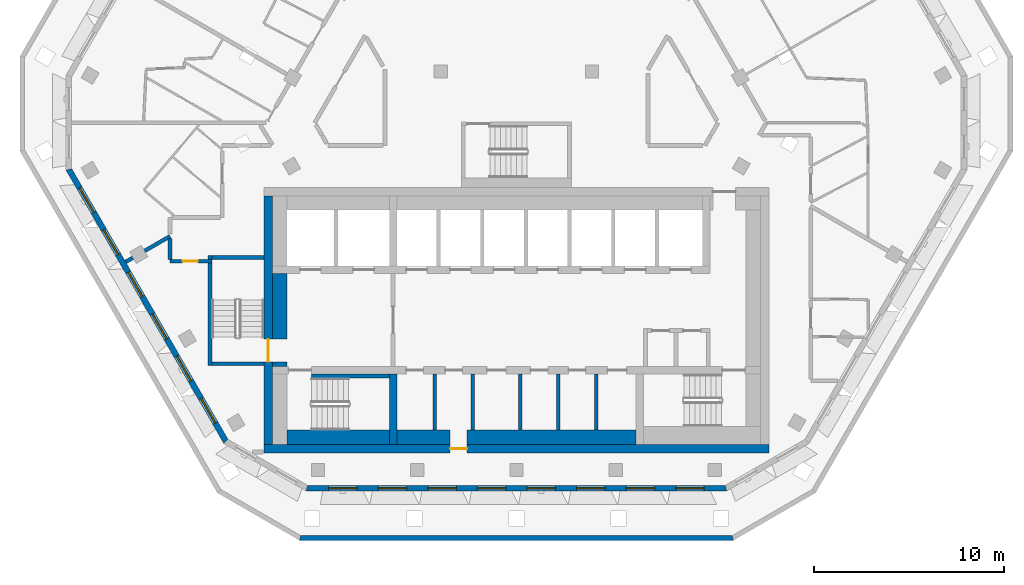
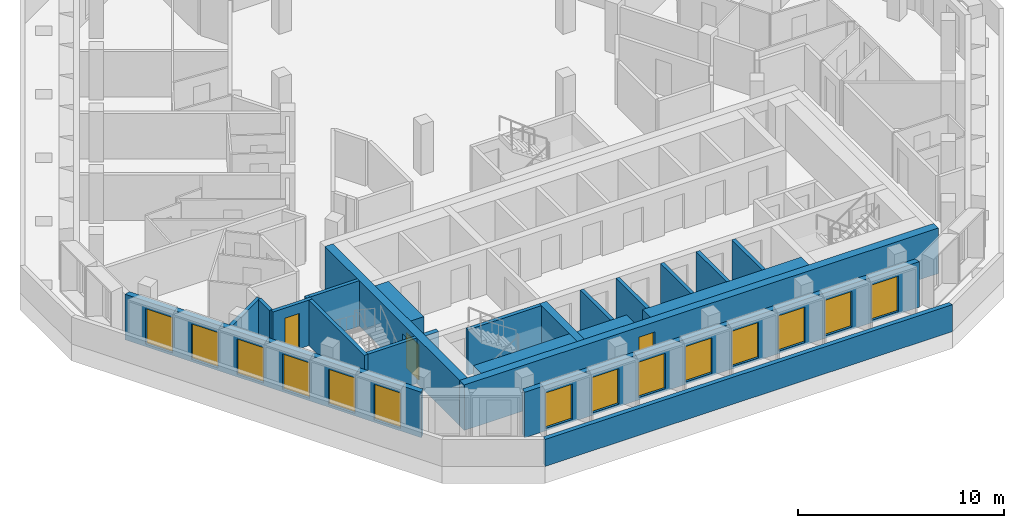
# One storey, part 2 of 15: 23 walls, 14 windows, 3 doors, 17 openings.
"""IFC4 building model written with IfcOpenShell, lengths in metres."""

from ifc_helpers import new_model, si_unit, direction, frame, frame_2d, origin, place, context, subcontext, project, spatial, polyline, rectangle, outline, extrude, material, layer, layer_set, type_object, element, fill, save


model = new_model("IFC4")

# Units and contexts
model_context = context("Model", 3, precision=1e-05, world=origin(), true_north=direction((0.0, 1.0)))
body_context = subcontext(model_context, "Body", "Model", "MODEL_VIEW")
ifc_project = project(units=[si_unit("LENGTHUNIT", "METRE"), si_unit("AREAUNIT", "SQUARE_METRE"), si_unit("VOLUMEUNIT", "CUBIC_METRE"), si_unit("PLANEANGLEUNIT", "RADIAN"), si_unit("MASSUNIT", "GRAM", prefix="KILO")], contexts=[model_context])

# Site, building, storey
site_placement = place(None, origin())
site = spatial("IfcSite", under=ifc_project, at=site_placement, CompositionType="ELEMENT")
building_placement = place(site_placement, origin())
building = spatial("IfcBuilding", under=site, at=building_placement, Name="Beryl Residences", CompositionType="ELEMENT")
storey_placement = place(building_placement, frame((0.0, 0.0, 202.800048828125)))
storey = spatial("IfcBuildingStorey", under=building, at=storey_placement, Name="L62", CompositionType="ELEMENT", Elevation=202.800048828125)

# Wall, openings, windows
ifc_material_1 = material(Name="Composite metal panel with mineral wool insulation")
ifc_layer_1 = layer(ifc_material_1, 0.300048828125)
ifc_layer_set_1 = layer_set([ifc_layer_1], Name="ES1 pale metal composite panel wall 300 mm")
wall_type_1 = type_object("IfcWallType", Name="ES1 pale metal composite panel wall 300 mm", PredefinedType="SOLIDWALL", material=ifc_layer_set_1)
wall_1_placement = place(storey_placement, frame((-23.59912109375, -4.02490234375, 0.0), z_axis=(0.0, 0.0, 1.0), x_axis=(0.500012653391, -0.866018098222, 0.0)))
wall_1 = element("IfcWall", 1, at=wall_1_placement, inside=storey, type_object=wall_type_1, Name="ES1 external wall L62 SW", PredefinedType="SOLIDWALL", context=body_context, shape_type="SweptSolid", body=[
    extrude(outline(polyline([(0.0, -0.14990234375), (16.6279296875, -0.14990234375), (16.547607421875, 0.14990234375), (0.080322265625, 0.14990234375), (0.0, -0.14990234375)])), origin(), (0.0, 0.0, 1.0), 2.699951171875),
])
opening_1_placement = place(wall_1_placement, frame((1.1640625, 0.0, 0.14990234375)))
opening_1 = element("IfcOpeningElement", 2, at=opening_1_placement, cuts=wall_1, Name="Opening W1", PredefinedType="OPENING", context=body_context, shape_type="SweptSolid", body=[
    extrude(rectangle(XDim=1.5, YDim=2.10009765625, at=frame_2d((0.75, 1.050048828125))), frame((0.0, 0.159912109375, 0.0), z_axis=(0.0, -1.0, 0.0), x_axis=(1.0, 0.0, 0.0)), (0.0, 0.0, 1.0), 0.320068359375),
])
opening_2_placement = place(wall_1_placement, frame((3.72412109375, 0.0, 0.14990234375)))
opening_2 = element("IfcOpeningElement", 3, at=opening_2_placement, cuts=wall_1, Name="Opening W1", PredefinedType="OPENING", context=body_context, shape_type="SweptSolid", body=[
    extrude(rectangle(XDim=1.5, YDim=2.10009765625, at=frame_2d((0.75, 1.050048828125))), frame((0.0, 0.159912109375, 0.0), z_axis=(0.0, -1.0, 0.0), x_axis=(1.0, 0.0, 0.0)), (0.0, 0.0, 1.0), 0.320068359375),
])
opening_3_placement = place(wall_1_placement, frame((6.282958984375, 0.0, 0.14990234375)))
opening_3 = element("IfcOpeningElement", 4, at=opening_3_placement, cuts=wall_1, Name="Opening W1", PredefinedType="OPENING", context=body_context, shape_type="SweptSolid", body=[
    extrude(rectangle(XDim=1.5, YDim=2.10009765625, at=frame_2d((0.75, 1.050048828125))), frame((0.0, 0.159912109375, 0.0), z_axis=(0.0, -1.0, 0.0), x_axis=(1.0, 0.0, 0.0)), (0.0, 0.0, 1.0), 0.320068359375),
])
opening_4_placement = place(wall_1_placement, frame((8.843017578125, 0.0, 0.14990234375)))
opening_4 = element("IfcOpeningElement", 5, at=opening_4_placement, cuts=wall_1, Name="Opening W1", PredefinedType="OPENING", context=body_context, shape_type="SweptSolid", body=[
    extrude(rectangle(XDim=1.5, YDim=2.10009765625, at=frame_2d((0.75, 1.050048828125))), frame((0.0, 0.159912109375, 0.0), z_axis=(0.0, -1.0, 0.0), x_axis=(1.0, 0.0, 0.0)), (0.0, 0.0, 1.0), 0.320068359375),
])
opening_5_placement = place(wall_1_placement, frame((11.403076171875, 0.0, 0.14990234375)))
opening_5 = element("IfcOpeningElement", 6, at=opening_5_placement, cuts=wall_1, Name="Opening W1", PredefinedType="OPENING", context=body_context, shape_type="SweptSolid", body=[
    extrude(rectangle(XDim=1.5, YDim=2.10009765625, at=frame_2d((0.75, 1.050048828125))), frame((0.0, 0.159912109375, 0.0), z_axis=(0.0, -1.0, 0.0), x_axis=(1.0, 0.0, 0.0)), (0.0, 0.0, 1.0), 0.320068359375),
])
opening_6_placement = place(wall_1_placement, frame((13.9619140625, 0.0, 0.14990234375)))
opening_6 = element("IfcOpeningElement", 7, at=opening_6_placement, cuts=wall_1, Name="Opening W1", PredefinedType="OPENING", context=body_context, shape_type="SweptSolid", body=[
    extrude(rectangle(XDim=1.5, YDim=2.10009765625, at=frame_2d((0.75, 1.050048828125))), frame((0.0, 0.159912109375, 0.0), z_axis=(0.0, -1.0, 0.0), x_axis=(1.0, 0.0, 0.0)), (0.0, 0.0, 1.0), 0.320068359375),
])
ifc_material_2 = material(Name="Aluminium and clear glass", Category="aluminium")
window_type = type_object("IfcWindowType", Name="W1 cell window 1500 x 2100 mm", PartitioningType="SINGLE_PANEL", PredefinedType="WINDOW", material=ifc_material_2)
window_1_placement = place(opening_1_placement, origin())
window_1 = element("IfcWindow", 8, at=window_1_placement, inside=storey, type_object=window_type, Name="W1 window L62 SW 1", OverallHeight=2.10009765625, OverallWidth=1.5, PartitioningType="SINGLE_PANEL", PredefinedType="WINDOW", context=body_context, shape_type="SweptSolid", body=[
    extrude(rectangle(XDim=1.5, YDim=2.10009765625, at=frame_2d((0.75, 1.050048828125))), frame((0.0, 0.030029296875, 0.0), z_axis=(0.0, -1.0, 0.0), x_axis=(1.0, 0.0, 0.0)), (0.0, 0.0, 1.0), 0.06005859375),
])
fill(opening_1, window_1)
window_2_placement = place(opening_2_placement, origin())
window_2 = element("IfcWindow", 9, at=window_2_placement, inside=storey, type_object=window_type, Name="W1 window L62 SW 2", OverallHeight=2.10009765625, OverallWidth=1.5, PartitioningType="SINGLE_PANEL", PredefinedType="WINDOW", context=body_context, shape_type="SweptSolid", body=[
    extrude(rectangle(XDim=1.5, YDim=2.10009765625, at=frame_2d((0.75, 1.050048828125))), frame((0.0, 0.030029296875, 0.0), z_axis=(0.0, -1.0, 0.0), x_axis=(1.0, 0.0, 0.0)), (0.0, 0.0, 1.0), 0.06005859375),
])
fill(opening_2, window_2)
window_3_placement = place(opening_3_placement, origin())
window_3 = element("IfcWindow", 10, at=window_3_placement, inside=storey, type_object=window_type, Name="W1 window L62 SW 3", OverallHeight=2.10009765625, OverallWidth=1.5, PartitioningType="SINGLE_PANEL", PredefinedType="WINDOW", context=body_context, shape_type="SweptSolid", body=[
    extrude(rectangle(XDim=1.5, YDim=2.10009765625, at=frame_2d((0.75, 1.050048828125))), frame((0.0, 0.030029296875, 0.0), z_axis=(0.0, -1.0, 0.0), x_axis=(1.0, 0.0, 0.0)), (0.0, 0.0, 1.0), 0.06005859375),
])
fill(opening_3, window_3)
window_4_placement = place(opening_4_placement, origin())
window_4 = element("IfcWindow", 11, at=window_4_placement, inside=storey, type_object=window_type, Name="W1 window L62 SW 4", OverallHeight=2.10009765625, OverallWidth=1.5, PartitioningType="SINGLE_PANEL", PredefinedType="WINDOW", context=body_context, shape_type="SweptSolid", body=[
    extrude(rectangle(XDim=1.5, YDim=2.10009765625, at=frame_2d((0.75, 1.050048828125))), frame((0.0, 0.030029296875, 0.0), z_axis=(0.0, -1.0, 0.0), x_axis=(1.0, 0.0, 0.0)), (0.0, 0.0, 1.0), 0.06005859375),
])
fill(opening_4, window_4)
window_5_placement = place(opening_5_placement, origin())
window_5 = element("IfcWindow", 12, at=window_5_placement, inside=storey, type_object=window_type, Name="W1 window L62 SW 5", OverallHeight=2.10009765625, OverallWidth=1.5, PartitioningType="SINGLE_PANEL", PredefinedType="WINDOW", context=body_context, shape_type="SweptSolid", body=[
    extrude(rectangle(XDim=1.5, YDim=2.10009765625, at=frame_2d((0.75, 1.050048828125))), frame((0.0, 0.030029296875, 0.0), z_axis=(0.0, -1.0, 0.0), x_axis=(1.0, 0.0, 0.0)), (0.0, 0.0, 1.0), 0.06005859375),
])
fill(opening_5, window_5)
window_6_placement = place(opening_6_placement, origin())
window_6 = element("IfcWindow", 13, at=window_6_placement, inside=storey, type_object=window_type, Name="W1 window L62 SW 6", OverallHeight=2.10009765625, OverallWidth=1.5, PartitioningType="SINGLE_PANEL", PredefinedType="WINDOW", context=body_context, shape_type="SweptSolid", body=[
    extrude(rectangle(XDim=1.5, YDim=2.10009765625, at=frame_2d((0.75, 1.050048828125))), frame((0.0, 0.030029296875, 0.0), z_axis=(0.0, -1.0, 0.0), x_axis=(1.0, 0.0, 0.0)), (0.0, 0.0, 1.0), 0.06005859375),
])
fill(opening_6, window_6)

wall_2_placement = place(storey_placement, frame((-11.0849609375, -20.85009765625, 0.0), z_axis=(0.0, 0.0, 1.0), x_axis=(1.0, 0.0, 0.0)))
wall_2 = element("IfcWall", 14, at=wall_2_placement, inside=storey, type_object=wall_type_1, Name="ES1 external wall L62 S", PredefinedType="SOLIDWALL", context=body_context, shape_type="SweptSolid", body=[
    extrude(outline(polyline([(0.0, -0.14990234375), (22.169921875, -0.14990234375), (22.089599609375, 0.14990234375), (0.080322265625, 0.14990234375), (0.0, -0.14990234375)])), origin(), (0.0, 0.0, 1.0), 2.699951171875),
])
opening_7_placement = place(wall_2_placement, frame((1.19091796875, 0.0, 0.14990234375)))
opening_7 = element("IfcOpeningElement", 15, at=opening_7_placement, cuts=wall_2, Name="Opening W1", PredefinedType="OPENING", context=body_context, shape_type="SweptSolid", body=[
    extrude(rectangle(XDim=1.5, YDim=2.10009765625, at=frame_2d((0.75, 1.050048828125))), frame((0.0, 0.159912109375, 0.0), z_axis=(0.0, -1.0, 0.0), x_axis=(1.0, 0.0, 0.0)), (0.0, 0.0, 1.0), 0.320068359375),
])
opening_8_placement = place(wall_2_placement, frame((3.803955078125, 0.0, 0.14990234375)))
opening_8 = element("IfcOpeningElement", 16, at=opening_8_placement, cuts=wall_2, Name="Opening W1", PredefinedType="OPENING", context=body_context, shape_type="SweptSolid", body=[
    extrude(rectangle(XDim=1.5, YDim=2.10009765625, at=frame_2d((0.75, 1.050048828125))), frame((0.0, 0.159912109375, 0.0), z_axis=(0.0, -1.0, 0.0), x_axis=(1.0, 0.0, 0.0)), (0.0, 0.0, 1.0), 0.320068359375),
])
opening_9_placement = place(wall_2_placement, frame((6.416015625, 0.0, 0.14990234375)))
opening_9 = element("IfcOpeningElement", 17, at=opening_9_placement, cuts=wall_2, Name="Opening W1", PredefinedType="OPENING", context=body_context, shape_type="SweptSolid", body=[
    extrude(rectangle(XDim=1.5, YDim=2.10009765625, at=frame_2d((0.75, 1.050048828125))), frame((0.0, 0.159912109375, 0.0), z_axis=(0.0, -1.0, 0.0), x_axis=(1.0, 0.0, 0.0)), (0.0, 0.0, 1.0), 0.320068359375),
])
opening_10_placement = place(wall_2_placement, frame((9.029052734375, 0.0, 0.14990234375)))
opening_10 = element("IfcOpeningElement", 18, at=opening_10_placement, cuts=wall_2, Name="Opening W1", PredefinedType="OPENING", context=body_context, shape_type="SweptSolid", body=[
    extrude(rectangle(XDim=1.5, YDim=2.10009765625, at=frame_2d((0.75, 1.050048828125))), frame((0.0, 0.159912109375, 0.0), z_axis=(0.0, -1.0, 0.0), x_axis=(1.0, 0.0, 0.0)), (0.0, 0.0, 1.0), 0.320068359375),
])
opening_11_placement = place(wall_2_placement, frame((11.64111328125, 0.0, 0.14990234375)))
opening_11 = element("IfcOpeningElement", 19, at=opening_11_placement, cuts=wall_2, Name="Opening W1", PredefinedType="OPENING", context=body_context, shape_type="SweptSolid", body=[
    extrude(rectangle(XDim=1.5, YDim=2.10009765625, at=frame_2d((0.75, 1.050048828125))), frame((0.0, 0.159912109375, 0.0), z_axis=(0.0, -1.0, 0.0), x_axis=(1.0, 0.0, 0.0)), (0.0, 0.0, 1.0), 0.320068359375),
])
opening_12_placement = place(wall_2_placement, frame((14.25390625, 0.0, 0.14990234375)))
opening_12 = element("IfcOpeningElement", 20, at=opening_12_placement, cuts=wall_2, Name="Opening W1", PredefinedType="OPENING", context=body_context, shape_type="SweptSolid", body=[
    extrude(rectangle(XDim=1.5, YDim=2.10009765625, at=frame_2d((0.75, 1.050048828125))), frame((0.0, 0.159912109375, 0.0), z_axis=(0.0, -1.0, 0.0), x_axis=(1.0, 0.0, 0.0)), (0.0, 0.0, 1.0), 0.320068359375),
])
opening_13_placement = place(wall_2_placement, frame((16.865966796875, 0.0, 0.14990234375)))
opening_13 = element("IfcOpeningElement", 21, at=opening_13_placement, cuts=wall_2, Name="Opening W1", PredefinedType="OPENING", context=body_context, shape_type="SweptSolid", body=[
    extrude(rectangle(XDim=1.5, YDim=2.10009765625, at=frame_2d((0.75, 1.050048828125))), frame((0.0, 0.159912109375, 0.0), z_axis=(0.0, -1.0, 0.0), x_axis=(1.0, 0.0, 0.0)), (0.0, 0.0, 1.0), 0.320068359375),
])
opening_14_placement = place(wall_2_placement, frame((19.47900390625, 0.0, 0.14990234375)))
opening_14 = element("IfcOpeningElement", 22, at=opening_14_placement, cuts=wall_2, Name="Opening W1", PredefinedType="OPENING", context=body_context, shape_type="SweptSolid", body=[
    extrude(rectangle(XDim=1.5, YDim=2.10009765625, at=frame_2d((0.75, 1.050048828125))), frame((0.0, 0.159912109375, 0.0), z_axis=(0.0, -1.0, 0.0), x_axis=(1.0, 0.0, 0.0)), (0.0, 0.0, 1.0), 0.320068359375),
])
window_7_placement = place(opening_7_placement, origin())
window_7 = element("IfcWindow", 23, at=window_7_placement, inside=storey, type_object=window_type, Name="W1 window L62 S 1", OverallHeight=2.10009765625, OverallWidth=1.5, PartitioningType="SINGLE_PANEL", PredefinedType="WINDOW", context=body_context, shape_type="SweptSolid", body=[
    extrude(rectangle(XDim=1.5, YDim=2.10009765625, at=frame_2d((0.75, 1.050048828125))), frame((0.0, 0.030029296875, 0.0), z_axis=(0.0, -1.0, 0.0), x_axis=(1.0, 0.0, 0.0)), (0.0, 0.0, 1.0), 0.06005859375),
])
fill(opening_7, window_7)
window_8_placement = place(opening_8_placement, origin())
window_8 = element("IfcWindow", 24, at=window_8_placement, inside=storey, type_object=window_type, Name="W1 window L62 S 2", OverallHeight=2.10009765625, OverallWidth=1.5, PartitioningType="SINGLE_PANEL", PredefinedType="WINDOW", context=body_context, shape_type="SweptSolid", body=[
    extrude(rectangle(XDim=1.5, YDim=2.10009765625, at=frame_2d((0.75, 1.050048828125))), frame((0.0, 0.030029296875, 0.0), z_axis=(0.0, -1.0, 0.0), x_axis=(1.0, 0.0, 0.0)), (0.0, 0.0, 1.0), 0.06005859375),
])
fill(opening_8, window_8)
window_9_placement = place(opening_9_placement, origin())
window_9 = element("IfcWindow", 25, at=window_9_placement, inside=storey, type_object=window_type, Name="W1 window L62 S 3", OverallHeight=2.10009765625, OverallWidth=1.5, PartitioningType="SINGLE_PANEL", PredefinedType="WINDOW", context=body_context, shape_type="SweptSolid", body=[
    extrude(rectangle(XDim=1.5, YDim=2.10009765625, at=frame_2d((0.75, 1.050048828125))), frame((0.0, 0.030029296875, 0.0), z_axis=(0.0, -1.0, 0.0), x_axis=(1.0, 0.0, 0.0)), (0.0, 0.0, 1.0), 0.06005859375),
])
fill(opening_9, window_9)
window_10_placement = place(opening_10_placement, origin())
window_10 = element("IfcWindow", 26, at=window_10_placement, inside=storey, type_object=window_type, Name="W1 window L62 S 4", OverallHeight=2.10009765625, OverallWidth=1.5, PartitioningType="SINGLE_PANEL", PredefinedType="WINDOW", context=body_context, shape_type="SweptSolid", body=[
    extrude(rectangle(XDim=1.5, YDim=2.10009765625, at=frame_2d((0.75, 1.050048828125))), frame((0.0, 0.030029296875, 0.0), z_axis=(0.0, -1.0, 0.0), x_axis=(1.0, 0.0, 0.0)), (0.0, 0.0, 1.0), 0.06005859375),
])
fill(opening_10, window_10)
window_11_placement = place(opening_11_placement, origin())
window_11 = element("IfcWindow", 27, at=window_11_placement, inside=storey, type_object=window_type, Name="W1 window L62 S 5", OverallHeight=2.10009765625, OverallWidth=1.5, PartitioningType="SINGLE_PANEL", PredefinedType="WINDOW", context=body_context, shape_type="SweptSolid", body=[
    extrude(rectangle(XDim=1.5, YDim=2.10009765625, at=frame_2d((0.75, 1.050048828125))), frame((0.0, 0.030029296875, 0.0), z_axis=(0.0, -1.0, 0.0), x_axis=(1.0, 0.0, 0.0)), (0.0, 0.0, 1.0), 0.06005859375),
])
fill(opening_11, window_11)
window_12_placement = place(opening_12_placement, origin())
window_12 = element("IfcWindow", 28, at=window_12_placement, inside=storey, type_object=window_type, Name="W1 window L62 S 6", OverallHeight=2.10009765625, OverallWidth=1.5, PartitioningType="SINGLE_PANEL", PredefinedType="WINDOW", context=body_context, shape_type="SweptSolid", body=[
    extrude(rectangle(XDim=1.5, YDim=2.10009765625, at=frame_2d((0.75, 1.050048828125))), frame((0.0, 0.030029296875, 0.0), z_axis=(0.0, -1.0, 0.0), x_axis=(1.0, 0.0, 0.0)), (0.0, 0.0, 1.0), 0.06005859375),
])
fill(opening_12, window_12)
window_13_placement = place(opening_13_placement, origin())
window_13 = element("IfcWindow", 29, at=window_13_placement, inside=storey, type_object=window_type, Name="W1 window L62 S 7", OverallHeight=2.10009765625, OverallWidth=1.5, PartitioningType="SINGLE_PANEL", PredefinedType="WINDOW", context=body_context, shape_type="SweptSolid", body=[
    extrude(rectangle(XDim=1.5, YDim=2.10009765625, at=frame_2d((0.75, 1.050048828125))), frame((0.0, 0.030029296875, 0.0), z_axis=(0.0, -1.0, 0.0), x_axis=(1.0, 0.0, 0.0)), (0.0, 0.0, 1.0), 0.06005859375),
])
fill(opening_13, window_13)
window_14_placement = place(opening_14_placement, origin())
window_14 = element("IfcWindow", 30, at=window_14_placement, inside=storey, type_object=window_type, Name="W1 window L62 S 8", OverallHeight=2.10009765625, OverallWidth=1.5, PartitioningType="SINGLE_PANEL", PredefinedType="WINDOW", context=body_context, shape_type="SweptSolid", body=[
    extrude(rectangle(XDim=1.5, YDim=2.10009765625, at=frame_2d((0.75, 1.050048828125))), frame((0.0, 0.030029296875, 0.0), z_axis=(0.0, -1.0, 0.0), x_axis=(1.0, 0.0, 0.0)), (0.0, 0.0, 1.0), 0.06005859375),
])
fill(opening_14, window_14)

# Walls
ifc_material_3 = material(Name="Precast concrete C40/50", Category="concrete")
ifc_layer_2 = layer(ifc_material_3, 0.25)
ifc_layer_set_2 = layer_set([ifc_layer_2], Name="PA1 roof parapet 250 mm")
wall_type_2 = type_object("IfcWallType", Name="PA1 roof parapet 250 mm", PredefinedType="PARAPET", material=ifc_layer_set_2)
wall_3_placement = place(storey_placement, frame((11.431884765625, -23.47509765625, 0.0), z_axis=(0.0, 0.0, 1.0), x_axis=(-1.0, 0.0, 0.0)))
element("IfcWall", 31, at=wall_3_placement, inside=storey, type_object=wall_type_2, Name="PA1 parapet L62 strip 6", PredefinedType="PARAPET", context=body_context, shape_type="SweptSolid", body=[
    extrude(outline(polyline([(0.06689453125, -0.125), (22.796875, -0.125), (22.86376953125, 0.125), (0.0, 0.125), (0.06689453125, -0.125)])), origin(), (0.0, 0.0, 1.0), 1.599853515625),
])
ifc_material_4 = material(Name="Concrete masonry", Category="masonry")
ifc_layer_3 = layer(ifc_material_4, 0.25)
ifc_layer_set_3 = layer_set([ifc_layer_3], Name="PT13-250 lobby wall 250 mm")
wall_type_3 = type_object("IfcWallType", Name="PT13-250 lobby wall 250 mm", PredefinedType="PARTITIONING", material=ifc_layer_set_3)
wall_4_placement = place(storey_placement, frame((-12.85009765625, -14.324951171875, 0.0), z_axis=(0.0, 0.0, 1.0), x_axis=(1.0, 0.0, 0.0)))
element("IfcWall", 32, at=wall_4_placement, inside=storey, type_object=wall_type_3, Name="Lobby wall 05", PredefinedType="PARTITIONING", context=body_context, shape_type="SweptSolid", body=[
    extrude(rectangle(XDim=0.75, YDim=0.25, at=frame_2d((0.375, 0.0))), origin(), (0.0, 0.0, 1.0), 2.699951171875),
])
ifc_material_5 = material(Name="Concrete masonry", Category="masonry")
ifc_layer_4 = layer(ifc_material_5, 0.75)
ifc_layer_set_4 = layer_set([ifc_layer_4], Name="PT13-750 lobby wall 750 mm")
wall_type_4 = type_object("IfcWallType", Name="PT13-750 lobby wall 750 mm", PredefinedType="PARTITIONING", material=ifc_layer_set_4)
wall_5_placement = place(storey_placement, frame((-12.47509765625, -13.0, 0.0), z_axis=(0.0, 0.0, 1.0), x_axis=(0.0, 1.0, 0.0)))
element("IfcWall", 33, at=wall_5_placement, inside=storey, type_object=wall_type_4, Name="Lobby wall 06", PredefinedType="PARTITIONING", context=body_context, shape_type="SweptSolid", body=[
    extrude(rectangle(XDim=3.449951171875, YDim=0.75, at=frame_2d((1.72509765625, 0.0))), origin(), (0.0, 0.0, 1.0), 2.699951171875),
])
ifc_material_6 = material(Name="Acoustic double stud gypsum board wall")
ifc_layer_5 = layer(ifc_material_6, 0.199951171875)
ifc_layer_set_5 = layer_set([ifc_layer_5], Name="PT3 party wall 200 mm acoustic double stud")
wall_type_5 = type_object("IfcWallType", Name="PT3 party wall 200 mm acoustic double stud", PredefinedType="PARTITIONING", material=ifc_layer_set_5)
wall_6_placement = place(storey_placement, frame((-20.592041015625, -8.93310546875, 0.0), z_axis=(0.0, 0.0, 1.0), x_axis=(0.866045775131, 0.499964714133, 0.0)))
element("IfcWall", 34, at=wall_6_placement, inside=storey, type_object=wall_type_5, Name="Wall PT3 L62 013", PredefinedType="PARTITIONING", context=body_context, shape_type="SweptSolid", body=[
    extrude(rectangle(XDim=2.704345703125, YDim=0.199951171875, at=frame_2d((1.35205078125, 0.0))), origin(), (0.0, 0.0, 1.0), 2.699951171875),
])
ifc_material_7 = material(Name="Double stud gypsum board wall")
ifc_layer_6 = layer(ifc_material_7, 0.199951171875)
ifc_layer_set_6 = layer_set([ifc_layer_6], Name="PT4 corridor wall 200 mm double stud")
wall_type_6 = type_object("IfcWallType", Name="PT4 corridor wall 200 mm double stud", PredefinedType="PARTITIONING", material=ifc_layer_set_6)
wall_7_placement = place(storey_placement, frame((-18.25, -7.696044921875, 0.0), z_axis=(0.0, 0.0, 1.0), x_axis=(0.0, -1.0, 0.0)))
element("IfcWall", 35, at=wall_7_placement, inside=storey, type_object=wall_type_6, Name="Wall PT4 L62 008", PredefinedType="PARTITIONING", context=body_context, shape_type="SweptSolid", body=[
    extrude(rectangle(XDim=1.10302734375, YDim=0.199951171875, at=frame_2d((0.551513671875, 0.0))), origin(), (0.0, 0.0, 1.0), 2.699951171875),
])

# Wall, opening, door
wall_8_placement = place(storey_placement, frame((-18.2490234375, -8.89990234375, 0.0), z_axis=(0.0, 0.0, 1.0), x_axis=(1.0, 0.0, 0.0)))
wall_8 = element("IfcWall", 36, at=wall_8_placement, inside=storey, type_object=wall_type_6, Name="Wall PT4 L62 013", PredefinedType="PARTITIONING", context=body_context, shape_type="SweptSolid", body=[
    extrude(rectangle(XDim=2.198974609375, YDim=0.199951171875, at=frame_2d((1.099609375, 0.0))), origin(), (0.0, 0.0, 1.0), 2.699951171875),
])
opening_15_placement = place(wall_8_placement, frame((0.6689453125, 0.0, 0.0)))
opening_15 = element("IfcOpeningElement", 37, at=opening_15_placement, cuts=wall_8, Name="Opening D1825", PredefinedType="OPENING", context=body_context, shape_type="SweptSolid", body=[
    extrude(rectangle(XDim=0.800048828125, YDim=2.10009765625, at=frame_2d((0.39990234375, 1.050048828125))), frame((0.0, 0.10986328125, 0.0), z_axis=(0.0, -1.0, 0.0), x_axis=(1.0, 0.0, 0.0)), (0.0, 0.0, 1.0), 0.219970703125),
])
ifc_material_8 = material(Name="Timber door leaf", Category="wood")
door_type_1 = type_object("IfcDoorType", Name="D3 bathroom door 800 x 2100 mm", OperationType="SINGLE_SWING_LEFT", PredefinedType="DOOR", material=ifc_material_8)
door_1_placement = place(opening_15_placement, origin())
door_1 = element("IfcDoor", 38, at=door_1_placement, inside=storey, type_object=door_type_1, Name="Door D1825 L62 001", OperationType="SINGLE_SWING_LEFT", OverallHeight=2.10009765625, OverallWidth=0.800048828125, PredefinedType="DOOR", context=body_context, shape_type="SweptSolid", body=[
    extrude(rectangle(XDim=0.800048828125, YDim=2.10009765625, at=frame_2d((0.39990234375, 1.050048828125))), frame((0.0, 0.02490234375, 0.0), z_axis=(0.0, -1.0, 0.0), x_axis=(1.0, 0.0, 0.0)), (0.0, 0.0, 1.0), 0.050048828125),
])
fill(opening_15, door_1)

# Walls
ifc_material_9 = material(Name="Concrete C40/50", Category="concrete")
ifc_layer_7 = layer(ifc_material_9, 0.199951171875)
ifc_layer_set_7 = layer_set([ifc_layer_7], Name="PT5 stair enclosure wall 200 mm reinforced concrete C40/50")
wall_type_7 = type_object("IfcWallType", Name="PT5 stair enclosure wall 200 mm reinforced concrete C40/50", PredefinedType="SOLIDWALL", material=ifc_layer_set_7)
wall_9_placement = place(storey_placement, frame((-16.14990234375, -14.39990234375, 0.0), z_axis=(0.0, 0.0, 1.0), x_axis=(0.0, 1.0, 0.0)))
element("IfcWall", 39, at=wall_9_placement, inside=storey, type_object=wall_type_7, Name="Stair wall 01", PredefinedType="SOLIDWALL", context=body_context, shape_type="SweptSolid", body=[
    extrude(rectangle(XDim=5.7998046875, YDim=0.199951171875, at=frame_2d((2.89990234375, 0.0))), origin(), (0.0, 0.0, 1.0), 2.699951171875),
])
for number, where, z_axis, x_axis, name in (
    (40, (-16.050048828125, -14.300048828125, 0.0), (0.0, 0.0, 1.0), (1.0, 0.0, 0.0), "Stair wall 02"),
    (41, (-16.050048828125, -8.699951171875, 0.0), (0.0, 0.0, 1.0), (1.0, 0.0, 0.0), "Stair wall 03"),
):
    element("IfcWall", number, at=place(storey_placement, frame(where, z_axis=z_axis, x_axis=x_axis)), inside=storey, type_object=wall_type_7, Name=name, PredefinedType="SOLIDWALL", context=body_context, shape_type="SweptSolid", body=[
        extrude(rectangle(XDim=2.75, YDim=0.199951171875, at=frame_2d((1.375, 0.0))), origin(), (0.0, 0.0, 1.0), 2.699951171875),
    ])
wall_10_placement = place(storey_placement, frame((-10.800048828125, -14.949951171875, 0.0), z_axis=(0.0, 0.0, 1.0), x_axis=(1.0, 0.0, 0.0)))
element("IfcWall", 42, at=wall_10_placement, inside=storey, type_object=wall_type_7, Name="Stair wall 10", PredefinedType="SOLIDWALL", context=body_context, shape_type="SweptSolid", body=[
    extrude(rectangle(XDim=4.10009765625, YDim=0.199951171875, at=frame_2d((2.050048828125, 0.0))), origin(), (0.0, 0.0, 1.0), 2.699951171875),
])
ifc_material_10 = material(Name="Concrete C40/50", Category="concrete")
ifc_layer_8 = layer(ifc_material_10, 0.75)
ifc_layer_set_8 = layer_set([ifc_layer_8], Name="PT5-750 stair enclosure wall 750 mm")
wall_type_8 = type_object("IfcWallType", Name="PT5-750 stair enclosure wall 750 mm", PredefinedType="SOLIDWALL", material=ifc_layer_set_8)
wall_11_placement = place(storey_placement, frame((-12.10009765625, -18.175048828125, 0.0), z_axis=(0.0, 0.0, 1.0), x_axis=(1.0, 0.0, 0.0)))
element("IfcWall", 43, at=wall_11_placement, inside=storey, type_object=wall_type_8, Name="Stair wall 08", PredefinedType="SOLIDWALL", context=body_context, shape_type="SweptSolid", body=[
    extrude(rectangle(XDim=5.400146484375, YDim=0.75, at=frame_2d((2.7001953125, 0.0))), origin(), (0.0, 0.0, 1.0), 2.699951171875),
])
ifc_material_11 = material(Name="Concrete masonry", Category="masonry")
ifc_layer_9 = layer(ifc_material_11, 0.199951171875)
ifc_layer_set_9 = layer_set([ifc_layer_9], Name="PT8-200 service room wall 200 mm")
wall_type_9 = type_object("IfcWallType", Name="PT8-200 service room wall 200 mm", PredefinedType="PARTITIONING", material=ifc_layer_set_9)
for number, where, z_axis, x_axis, name in (
    (44, (-4.300048828125, -17.800048828125, 0.0), (0.0, 0.0, 1.0), (0.0, 1.0, 0.0), "Core room wall 15"),
    (45, (-2.300048828125, -17.800048828125, 0.0), (0.0, 0.0, 1.0), (0.0, 1.0, 0.0), "Core room wall 18"),
    (46, (0.199951171875, -17.800048828125, 0.0), (0.0, 0.0, 1.0), (0.0, 1.0, 0.0), "Core room wall 20"),
    (47, (2.199951171875, -17.800048828125, 0.0), (0.0, 0.0, 1.0), (0.0, 1.0, 0.0), "Core room wall 22"),
    (48, (4.199951171875, -17.800048828125, 0.0), (0.0, 0.0, 1.0), (0.0, 1.0, 0.0), "Core room wall 24"),
):
    element("IfcWall", number, at=place(storey_placement, frame(where, z_axis=z_axis, x_axis=x_axis)), inside=storey, type_object=wall_type_9, Name=name, PredefinedType="PARTITIONING", context=body_context, shape_type="SweptSolid", body=[
        extrude(rectangle(XDim=2.949951171875, YDim=0.199951171875, at=frame_2d((1.47509765625, 0.0))), origin(), (0.0, 0.0, 1.0), 2.699951171875),
    ])
ifc_material_12 = material(Name="Concrete masonry", Category="masonry")
ifc_layer_10 = layer(ifc_material_12, 0.75)
ifc_layer_set_10 = layer_set([ifc_layer_10], Name="PT8-750 service room wall 750 mm")
wall_type_10 = type_object("IfcWallType", Name="PT8-750 service room wall 750 mm", PredefinedType="PARTITIONING", material=ifc_layer_set_10)
wall_12_placement = place(storey_placement, frame((-6.300048828125, -18.175048828125, 0.0), z_axis=(0.0, 0.0, 1.0), x_axis=(1.0, 0.0, 0.0)))
element("IfcWall", 49, at=wall_12_placement, inside=storey, type_object=wall_type_10, Name="Core room wall 13", PredefinedType="PARTITIONING", context=body_context, shape_type="SweptSolid", body=[
    extrude(rectangle(XDim=2.800048828125, YDim=0.75, at=frame_2d((1.39990234375, 0.0))), origin(), (0.0, 0.0, 1.0), 2.699951171875),
])
wall_13_placement = place(storey_placement, frame((-2.60009765625, -18.175048828125, 0.0), z_axis=(0.0, 0.0, 1.0), x_axis=(1.0, 0.0, 0.0)))
element("IfcWall", 50, at=wall_13_placement, inside=storey, type_object=wall_type_10, Name="Core room wall 17", PredefinedType="PARTITIONING", context=body_context, shape_type="SweptSolid", body=[
    extrude(rectangle(XDim=8.900146484375, YDim=0.75, at=frame_2d((4.4501953125, 0.0))), origin(), (0.0, 0.0, 1.0), 2.699951171875),
])
ifc_material_13 = material(Name="Concrete C50/60", Category="concrete")
ifc_layer_11 = layer(ifc_material_13, 0.39990234375)
ifc_layer_set_11 = layer_set([ifc_layer_11], Name="SW10 core internal wall 400 mm C50/60")
wall_type_11 = type_object("IfcWallType", Name="SW10 core internal wall 400 mm C50/60", PredefinedType="SHEAR", material=ifc_layer_set_11)
wall_14_placement = place(storey_placement, frame((-6.5, -18.550048828125, 0.0), z_axis=(0.0, 0.0, 1.0), x_axis=(0.0, 1.0, 0.0)))
element("IfcWall", 51, at=wall_14_placement, inside=storey, type_object=wall_type_11, Name="Core wall XS1 L62", PredefinedType="SHEAR", context=body_context, shape_type="SweptSolid", body=[
    extrude(rectangle(XDim=3.699951171875, YDim=0.39990234375, at=frame_2d((1.85009765625, 0.0))), origin(), (0.0, 0.0, 1.0), 2.699951171875),
])

# Wall, opening, door
ifc_material_14 = material(Name="Concrete C50/60", Category="concrete")
ifc_layer_12 = layer(ifc_material_14, 0.449951171875)
ifc_layer_set_12 = layer_set([ifc_layer_12], Name="SW5 core outer wall 450 mm C50/60")
wall_type_12 = type_object("IfcWallType", Name="SW5 core outer wall 450 mm C50/60", PredefinedType="SHEAR", material=ifc_layer_set_12)
wall_15_placement = place(storey_placement, frame((-13.300048828125, -18.77490234375, 0.0), z_axis=(0.0, 0.0, 1.0), x_axis=(1.0, 0.0, 0.0)))
wall_15 = element("IfcWall", 52, at=wall_15_placement, inside=storey, type_object=wall_type_12, Name="Core wall S L62", PredefinedType="SHEAR", context=body_context, shape_type="SweptSolid", body=[
    extrude(rectangle(XDim=26.60009765625, YDim=0.449951171875, at=frame_2d((13.300048828125, 0.0))), origin(), (0.0, 0.0, 1.0), 2.699951171875),
])
opening_16_placement = place(wall_15_placement, frame((9.800048828125, 0.0, 0.0)))
opening_16 = element("IfcOpeningElement", 53, at=opening_16_placement, cuts=wall_15, Name="Opening RD-RS", PredefinedType="OPENING", context=body_context, shape_type="SweptSolid", body=[
    extrude(rectangle(XDim=0.89990234375, YDim=2.10009765625, at=frame_2d((0.449951171875, 1.050048828125))), frame((0.0, 0.23486328125, 0.0), z_axis=(0.0, -1.0, 0.0), x_axis=(1.0, 0.0, 0.0)), (0.0, 0.0, 1.0), 0.469970703125),
])
ifc_material_15 = material(Name="Steel door leaf in steel frame", Category="steel")
door_type_2 = type_object("IfcDoorType", Name="D23 riser door 900 x 2100 mm", OperationType="SINGLE_SWING_LEFT", PredefinedType="DOOR", material=ifc_material_15)
door_2_placement = place(opening_16_placement, origin())
door_2 = element("IfcDoor", 54, at=door_2_placement, inside=storey, type_object=door_type_2, Name="Door RD-RS L62 001", OperationType="SINGLE_SWING_RIGHT", OverallHeight=2.10009765625, OverallWidth=0.89990234375, PredefinedType="DOOR", context=body_context, shape_type="SweptSolid", body=[
    extrude(rectangle(XDim=0.89990234375, YDim=2.10009765625, at=frame_2d((0.449951171875, 1.050048828125))), frame((0.0, 0.02490234375, 0.0), z_axis=(0.0, -1.0, 0.0), x_axis=(1.0, 0.0, 0.0)), (0.0, 0.0, 1.0), 0.050048828125),
])
fill(opening_16, door_2)

wall_16_placement = place(storey_placement, frame((-13.074951171875, -18.550048828125, 0.0), z_axis=(0.0, 0.0, 1.0), x_axis=(0.0, 1.0, 0.0)))
wall_16 = element("IfcWall", 55, at=wall_16_placement, inside=storey, type_object=wall_type_12, Name="Core wall W L62", PredefinedType="SHEAR", context=body_context, shape_type="SweptSolid", body=[
    extrude(rectangle(XDim=13.10009765625, YDim=0.449951171875, at=frame_2d((6.550048828125, 0.0))), origin(), (0.0, 0.0, 1.0), 2.699951171875),
])
opening_17_placement = place(wall_16_placement, frame((4.35009765625, 0.0, 0.0)))
opening_17 = element("IfcOpeningElement", 56, at=opening_17_placement, cuts=wall_16, Name="Opening SD-2", PredefinedType="OPENING", context=body_context, shape_type="SweptSolid", body=[
    extrude(rectangle(XDim=1.199951171875, YDim=2.10009765625, at=frame_2d((0.60009765625, 1.050048828125))), frame((0.0, 0.23486328125, 0.0), z_axis=(0.0, -1.0, 0.0), x_axis=(1.0, 0.0, 0.0)), (0.0, 0.0, 1.0), 0.469970703125),
])
ifc_material_16 = material(Name="Steel door leaf in steel frame", Category="steel")
door_type_3 = type_object("IfcDoorType", Name="D4 stair door 1200 x 2100 mm", OperationType="SINGLE_SWING_LEFT", PredefinedType="DOOR", material=ifc_material_16)
door_3_placement = place(opening_17_placement, origin())
door_3 = element("IfcDoor", 57, at=door_3_placement, inside=storey, type_object=door_type_3, Name="Door SD-2 L62 001", OperationType="SINGLE_SWING_RIGHT", OverallHeight=2.10009765625, OverallWidth=1.199951171875, PredefinedType="DOOR", context=body_context, shape_type="SweptSolid", body=[
    extrude(rectangle(XDim=1.199951171875, YDim=2.10009765625, at=frame_2d((0.60009765625, 1.050048828125))), frame((0.0, 0.02490234375, 0.0), z_axis=(0.0, -1.0, 0.0), x_axis=(1.0, 0.0, 0.0)), (0.0, 0.0, 1.0), 0.050048828125),
])
fill(opening_17, door_3)

save(model, "model.ifc")
